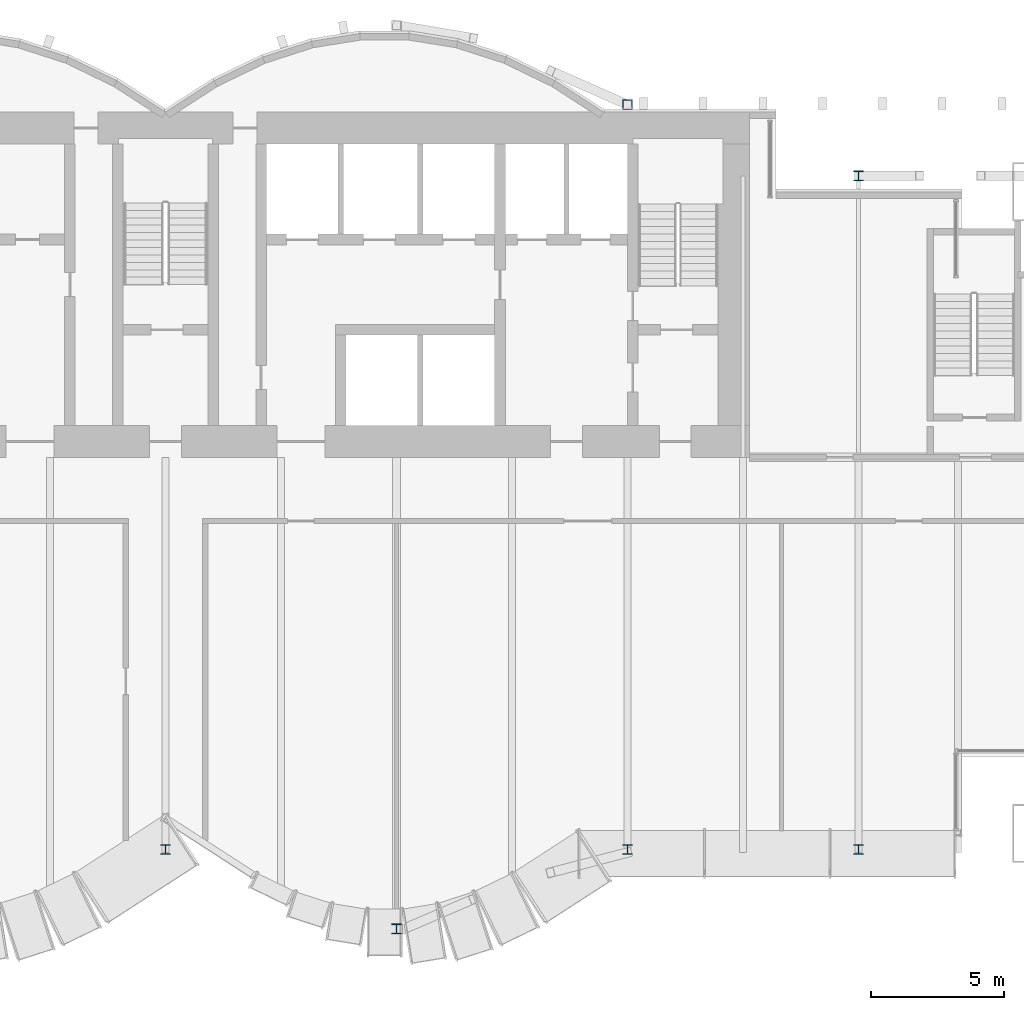
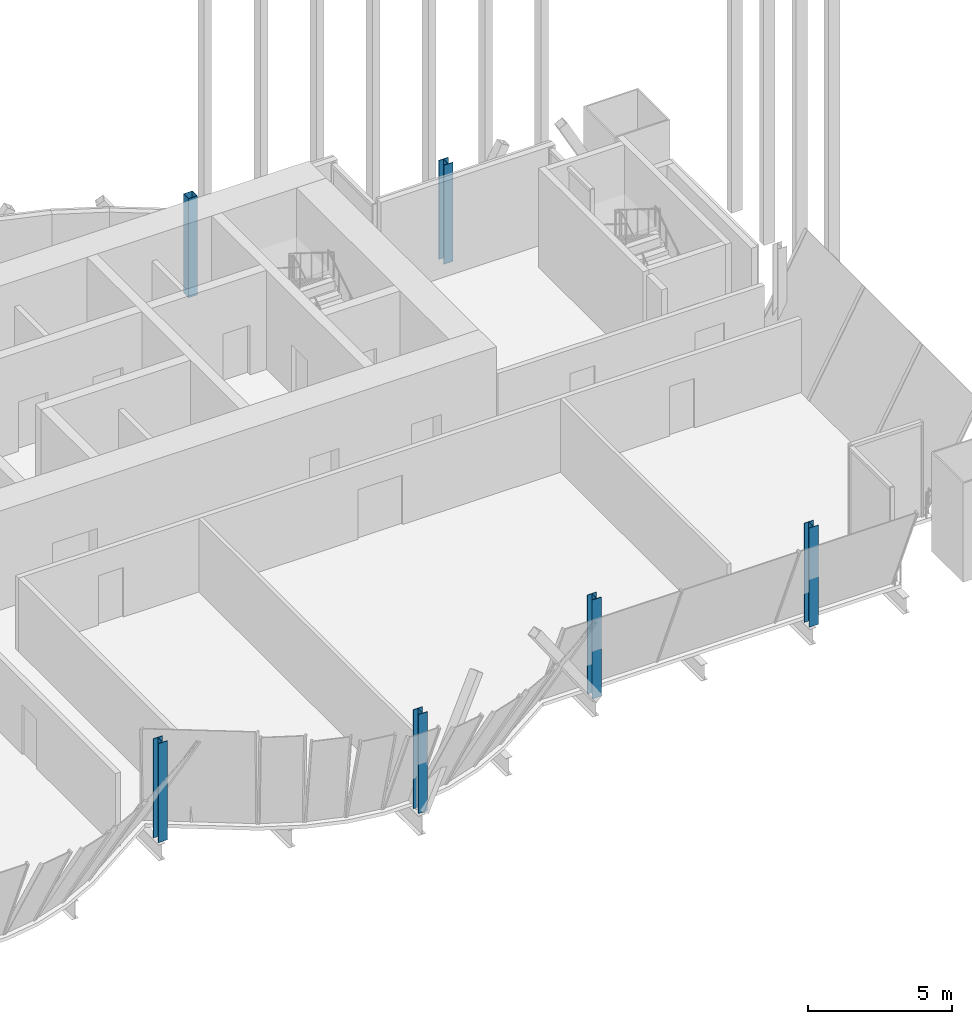
# One storey, part 2 of 28: 6 columns.
"""IFC4 building model written with IfcOpenShell, lengths in metres."""

import ifcopenshell
import ifcopenshell.guid

model = None  # the IFC model being written
_history = None  # IfcOwnerHistory: only IFC2X3 demands one
_inside = {}  # id of a spatial element -> (the spatial element, [elements in it])
_under = {}  # id of a project, library or spatial element -> (it, [spatial elements below it])
_declared = {}  # id of a project -> (the project, [libraries it declares])
_typed = {}  # id of a type object -> (the type object, [elements of that type])
_made_of = {}  # id of a material, layer set ... -> (it, [elements and type objects made of it])


def new_model(schema):
    """Start an empty IFC model of exactly this schema.

    Asked for "IFC4X3", IfcOpenShell would pick the latest addendum, in which some entities
    have other attributes; the version numbers below select the first issue.
    IFC2X3 requires an IfcOwnerHistory on every rooted entity: one is made here for all.
    """
    global model, _history
    if schema == "IFC4X3":
        model = ifcopenshell.file(schema_version=(4, 3, 0, 0))
    else:
        model = ifcopenshell.file(schema=schema)
    _inside.clear()
    _under.clear()
    _declared.clear()
    _typed.clear()
    _made_of.clear()
    _history = None
    if model.schema == "IFC2X3":
        org = make("IfcOrganization", Name="unknown")
        user = make(
            "IfcPersonAndOrganization",
            ThePerson=make("IfcPerson", FamilyName="unknown"),
            TheOrganization=org,
        )
        app = make(
            "IfcApplication",
            ApplicationDeveloper=org,
            Version="unknown",
            ApplicationFullName="unknown",
            ApplicationIdentifier="unknown",
        )
        _history = make(
            "IfcOwnerHistory",
            OwningUser=user,
            OwningApplication=app,
            ChangeAction="ADDED",
            CreationDate=0,
        )
    return model


def make(cls, **values):
    """One entity of the class cls with the attributes given. An attribute that is None is left unset."""
    return model.create_entity(
        cls, **{name: value for name, value in values.items() if value is not None}
    )


def rooted(cls, **values):
    """An entity with a GlobalId (a new one), such as an element, a storey or a relation."""
    return make(cls, GlobalId=ifcopenshell.guid.new(), OwnerHistory=_history, **values)


def si_unit(unit_type, name, prefix=None):
    """IfcSIUnit, for example si_unit("LENGTHUNIT", "METRE", prefix="MILLI")."""
    return make("IfcSIUnit", UnitType=unit_type, Prefix=prefix, Name=name)


def assignment(units):
    """IfcUnitAssignment: the units of a project."""
    return None if units is None else make("IfcUnitAssignment", Units=units)


def point(xyz):
    """IfcCartesianPoint."""
    return None if xyz is None else make("IfcCartesianPoint", Coordinates=xyz)


def direction(xyz):
    """IfcDirection."""
    return None if xyz is None else make("IfcDirection", DirectionRatios=xyz)


def frame(location, z_axis=None, x_axis=None):
    """IfcAxis2Placement3D, a coordinate frame: its origin and axes. An axis left out is left unset."""
    return make(
        "IfcAxis2Placement3D",
        Location=point(location),
        Axis=direction(z_axis),
        RefDirection=direction(x_axis),
    )


def frame_2d(location, x_axis=None):
    """IfcAxis2Placement2D, a coordinate frame in the plane: its origin and x axis."""
    return make(
        "IfcAxis2Placement2D", Location=point(location), RefDirection=direction(x_axis)
    )


def origin():
    """The frame at (0, 0, 0) with its axes left unset."""
    return frame((0.0, 0.0, 0.0))


def origin_2d():
    """The frame at (0, 0) in the plane with its x axis left unset."""
    return frame_2d((0.0, 0.0))


def place(relative_to, where):
    """IfcLocalPlacement: puts the frame where relative to a parent placement (None: the world)."""
    return make(
        "IfcLocalPlacement", PlacementRelTo=relative_to, RelativePlacement=where
    )


def context(
    kind, dimensions, precision=None, world=None, true_north=None, identifier=None
):
    """IfcGeometricRepresentationContext, for example the 3D "Model" context."""
    return make(
        "IfcGeometricRepresentationContext",
        ContextIdentifier=identifier,
        ContextType=kind,
        CoordinateSpaceDimension=dimensions,
        Precision=precision,
        WorldCoordinateSystem=world,
        TrueNorth=true_north,
    )


def subcontext(parent, identifier, kind, view, scale=None):
    """IfcGeometricRepresentationSubContext, for example "Body" below "Model"."""
    return make(
        "IfcGeometricRepresentationSubContext",
        ContextIdentifier=identifier,
        ContextType=kind,
        ParentContext=parent,
        TargetScale=scale,
        TargetView=view,
    )


def project(units=None, contexts=None):
    """IfcProject with its units and contexts."""
    return rooted(
        "IfcProject",
        Name="project",
        RepresentationContexts=contexts,
        UnitsInContext=assignment(units),
    )


def spatial(cls, under=None, at=None, **own):
    """A site, building, storey or space (cls), placed at a placement, below another one or the project."""
    s = rooted(cls, ObjectPlacement=at, **own)
    if under is not None:
        _under.setdefault(under.id(), (under, []))[1].append(s)
    return s


def profile(cls, at=None, kind="AREA", **sizes):
    """A parametric profile (cls). Its sizes go by their IFC names, for example OverallWidth=200.0."""
    return make(cls, ProfileType=kind, Position=at, **sizes)


def hollow_rectangle(**sizes):
    """IfcRectangleHollowProfileDef."""
    return profile("IfcRectangleHollowProfileDef", **sizes)


def i_section(**sizes):
    """IfcIShapeProfileDef."""
    return profile("IfcIShapeProfileDef", **sizes)


def extrude(swept, where, along, depth):
    """IfcExtrudedAreaSolid: the profile swept, set in the frame where, extruded along a direction by depth."""
    return make(
        "IfcExtrudedAreaSolid",
        SweptArea=swept,
        Position=where,
        ExtrudedDirection=direction(along),
        Depth=depth,
    )


def shape(context_of_items, identifier, shape_type, items):
    """IfcShapeRepresentation: the items that make up one representation, for example the "Body"."""
    return make(
        "IfcShapeRepresentation",
        ContextOfItems=context_of_items,
        RepresentationIdentifier=identifier,
        RepresentationType=shape_type,
        Items=items,
    )


def material(Name=None, Category=None):
    """IfcMaterial."""
    return make("IfcMaterial", Name=Name, Category=Category)


def material_profile(
    of_material, cross_section, Name=None, Category=None, Priority=None
):
    """IfcMaterialProfile: a cross section and its material."""
    return make(
        "IfcMaterialProfile",
        Name=Name,
        Material=of_material,
        Profile=cross_section,
        Priority=Priority,
        Category=Category,
    )


def profile_set(profiles, Name=None, composite=None):
    """IfcMaterialProfileSet."""
    return make(
        "IfcMaterialProfileSet",
        Name=Name,
        MaterialProfiles=profiles,
        CompositeProfile=composite,
    )


def made_of(thing, what):
    """Note that an element or type object is made of a material, layer set ...; save() writes the relation."""
    if what is not None:
        _made_of.setdefault(what.id(), (what, []))[1].append(thing)
    return thing


def type_object(cls, material=None, **own):
    """A type object (cls), such as IfcWallType, which elements share."""
    return made_of(rooted(cls, **own), material)


def element(
    cls,
    number,
    at=None,
    inside=None,
    cuts=None,
    type_object=None,
    material=None,
    context=None,
    identifier="Body",
    shape_type=None,
    held_by="IfcProductDefinitionShape",
    body=None,
    shapes=None,
    **own,
):
    """One element of the class cls, such as IfcWall. Its Tag is "e" and its number.

    at: its placement. inside: the storey or other place that contains it. cuts: it is an
    opening in that element (IfcRelVoidsElement). A single representation is given by context,
    identifier, shape_type and body (its items); several are given by shapes. held_by: the class
    of the entity that holds the representations. save() writes the other relations.
    """
    e = rooted(cls, Tag="e%d" % number, ObjectPlacement=at, **own)
    if body is not None:
        shapes = [shape(context, identifier, shape_type, body)]
    if shapes is not None:
        e.Representation = make(held_by, Representations=shapes)
    if inside is not None:
        _inside.setdefault(inside.id(), (inside, []))[1].append(e)
    if cuts is not None:
        rooted(
            "IfcRelVoidsElement", RelatingBuildingElement=cuts, RelatedOpeningElement=e
        )
    if type_object is not None:
        _typed.setdefault(type_object.id(), (type_object, []))[1].append(e)
    return made_of(e, material)


def aggregate(whole, parts):
    """IfcRelAggregates: a whole, such as a stair, and the parts it consists of."""
    return rooted("IfcRelAggregates", RelatingObject=whole, RelatedObjects=parts)


def save(model, path):
    """Write the relations noted so far, then the file.

    IfcRelAggregates (storeys below a building ...), IfcRelContainedInSpatialStructure (elements
    in a storey), IfcRelDefinesByType, IfcRelAssociatesMaterial and IfcRelDeclares: one each for
    every whole, place, type object, material and project.
    """
    for whole, parts in _under.values():
        aggregate(whole, parts)
    for where, things in _inside.values():
        rooted(
            "IfcRelContainedInSpatialStructure",
            RelatedElements=things,
            RelatingStructure=where,
        )
    for kind, things in _typed.values():
        rooted("IfcRelDefinesByType", RelatedObjects=things, RelatingType=kind)
    for what, things in _made_of.values():
        rooted("IfcRelAssociatesMaterial", RelatedObjects=things, RelatingMaterial=what)
    for by, libraries in _declared.values():
        rooted("IfcRelDeclares", RelatingContext=by, RelatedDefinitions=libraries)
    model.write(path)


model = new_model("IFC4")

# Units and contexts
model_context = context("Model", 3, precision=1e-05, world=origin(), true_north=direction((0.0, 1.0)))
body_context = subcontext(model_context, "Body", "Model", "MODEL_VIEW")
ifc_project = project(units=[si_unit("LENGTHUNIT", "METRE"), si_unit("AREAUNIT", "SQUARE_METRE"), si_unit("VOLUMEUNIT", "CUBIC_METRE"), si_unit("PLANEANGLEUNIT", "RADIAN"), si_unit("MASSUNIT", "GRAM", prefix="KILO")], contexts=[model_context])

# Site, building, storey
site_placement = place(None, origin())
site = spatial("IfcSite", under=ifc_project, at=site_placement, CompositionType="ELEMENT")
building_placement = place(site_placement, origin())
building = spatial("IfcBuilding", under=site, at=building_placement, Name="Bicima Exchange Tower", CompositionType="ELEMENT")
storey_placement = place(building_placement, frame((0.0, 0.0, 241.39990234375)))
storey = spatial("IfcBuildingStorey", under=building, at=storey_placement, Name="L54", CompositionType="ELEMENT", Elevation=241.39990234375)

# Columns
ifc_material_1 = material(Name="Steel ASTM A992 Gr 50", Category="steel")
ifc_material_profile_1 = material_profile(ifc_material_1, i_section(OverallWidth=0.370849609375, OverallDepth=0.36328125, WebThickness=0.013427734375, FlangeThickness=0.021728515625, at=origin_2d()))
ifc_profile_set_1 = profile_set([ifc_material_profile_1], Name="Steel ASTM A992 Gr 50")
column_type_1 = type_object("IfcColumnType", Name="Perimeter column W14x109", PredefinedType="COLUMN", material=ifc_profile_set_1)
for number, where, z_axis, x_axis, name in (
    (1, (0.0, -27.76611328125, 0.0), (0.0, 0.0, 1.0), (1.0, 0.0, 0.0), "Perimeter column grav-0.0f"),
    (2, (8.699951171875, -30.757080078125, 0.0), (0.0, 0.0, 1.0), (1.0, 0.0, 0.0), "Perimeter column grav+8.7f"),
    (3, (17.39990234375, -27.76611328125, 0.0), (0.0, 0.0, 1.0), (1.0, 0.0, 0.0), "Perimeter column grav+17.4f"),
    (4, (26.10009765625, -27.76611328125, 0.0), (0.0, 0.0, 1.0), (1.0, 0.0, 0.0), "Perimeter column grav+26.1f"),
    (5, (26.10009765625, -2.39990234375, 0.0), (0.0, 0.0, 1.0), (1.0, 0.0, 0.0), "Perimeter column grav+26.1r"),
):
    element("IfcColumn", number, at=place(storey_placement, frame(where, z_axis=z_axis, x_axis=x_axis)), inside=storey, type_object=column_type_1, Name=name, PredefinedType="COLUMN", context=body_context, shape_type="SweptSolid", body=[
        extrude(i_section(OverallWidth=0.370849609375, OverallDepth=0.36328125, WebThickness=0.013427734375, FlangeThickness=0.021728515625, at=origin_2d()), origin(), (0.0, 0.0, 1.0), 4.2001953125),
    ])
ifc_material_2 = material(Name="Steel ASTM A572 Gr 50", Category="steel")
ifc_material_profile_2 = material_profile(ifc_material_2, hollow_rectangle(XDim=0.355712890625, YDim=0.355712890625, WallThickness=0.01171875, at=origin_2d()))
ifc_profile_set_2 = profile_set([ifc_material_profile_2], Name="Steel ASTM A572 Gr 50")
column_type_2 = type_object("IfcColumnType", Name="Rear pilaster HSS14x14x1/2", PredefinedType="COLUMN", material=ifc_profile_set_2)
column_placement = place(storey_placement, frame((17.39990234375, 0.278076171875, 0.0), z_axis=(0.0, 0.0, 1.0), x_axis=(1.0, 0.0, 0.0)))
element("IfcColumn", 6, at=column_placement, inside=storey, type_object=column_type_2, Name="Rear pilaster rexo+17.4r", PredefinedType="COLUMN", context=body_context, shape_type="SweptSolid", body=[
    extrude(hollow_rectangle(XDim=0.355712890625, YDim=0.355712890625, WallThickness=0.01171875, at=origin_2d()), origin(), (0.0, 0.0, 1.0), 4.2001953125),
])

save(model, "model.ifc")
